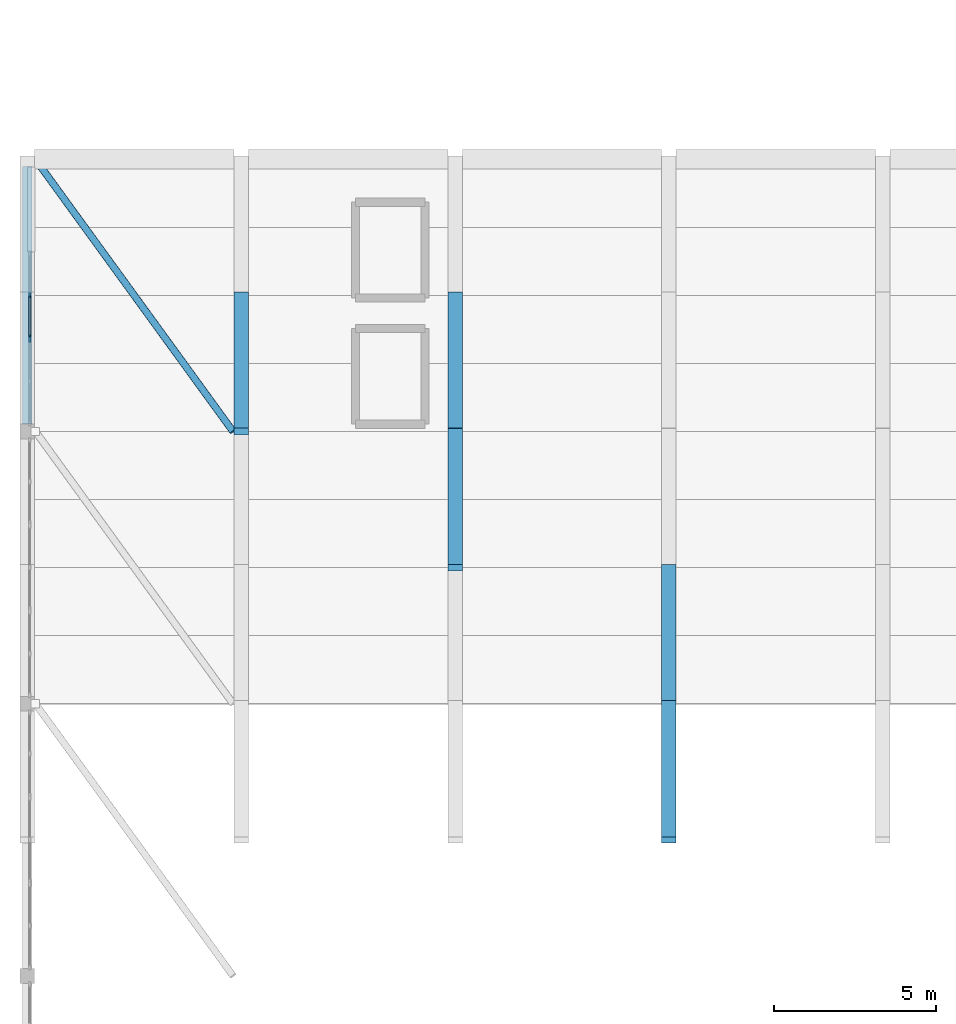
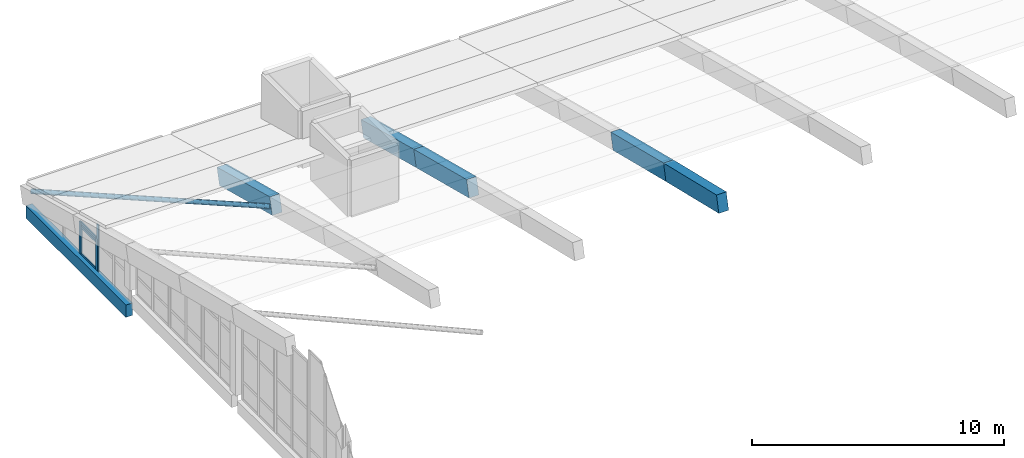
# One storey, part 13 of 78: 7 members, 6 beams, 2 elements without a shape of their own.
"""IFC4 building model written with IfcOpenShell, lengths in metres."""

from ifc_helpers import new_model, si_unit, direction, frame, origin, origin_2d, place, context, subcontext, project, spatial, rectangle, hollow_circle, extrude, material, material_profile, profile_set, type_object, element, aggregate, save


model = new_model("IFC4")

# Units and contexts
model_context = context("Model", 3, precision=1e-05, world=origin(), true_north=direction((0.0, 1.0)))
body_context = subcontext(model_context, "Body", "Model", "MODEL_VIEW")
ifc_project = project(units=[si_unit("LENGTHUNIT", "METRE"), si_unit("AREAUNIT", "SQUARE_METRE"), si_unit("VOLUMEUNIT", "CUBIC_METRE"), si_unit("PLANEANGLEUNIT", "RADIAN"), si_unit("MASSUNIT", "GRAM", prefix="KILO")], contexts=[model_context])

# Site, building, storey
site_placement = place(None, origin())
site = spatial("IfcSite", under=ifc_project, at=site_placement, CompositionType="ELEMENT")
building_placement = place(site_placement, origin())
building = spatial("IfcBuilding", under=site, at=building_placement, Name="Qaldarim Faculty of Natural and Applied Sciences", CompositionType="ELEMENT")
storey_placement = place(building_placement, frame((0.0, 0.0, 18.60009765625)))
storey = spatial("IfcBuildingStorey", under=building, at=storey_placement, Name="L04", CompositionType="ELEMENT", Elevation=18.60009765625)

# Curtain wall, member
ifc_material_1 = material(Name="Anodised aluminium AW-6063", Category="aluminium")
curtain_wall_type = type_object("IfcCurtainWallType", Name="CurtainWallSystem-M1500", PredefinedType="USERDEFINED", material=ifc_material_1)
curtain_wall_1_placement = place(storey_placement, origin())
curtain_wall_1 = element("IfcCurtainWall", 1, at=curtain_wall_1_placement, inside=storey, type_object=curtain_wall_type, Name="Curtain wall CW-GABLE-L04-W-Y10-1", ObjectType="STICK CURTAIN WALL", PredefinedType="USERDEFINED")
ifc_material_profile_1 = material_profile(ifc_material_1, rectangle(XDim=0.06005859375, YDim=0.14990234375, at=origin_2d()), Name="ALU-M60x150")
ifc_profile_set_1 = profile_set([ifc_material_profile_1], Name="Anodised aluminium AW-6063")
member_type_1 = type_object("IfcMemberType", Name="Mullion-ALU60x150", PredefinedType="MULLION", material=ifc_profile_set_1)
member_1_placement = place(storey_placement, frame((0.080078125, 78.43505859375, -0.97998046875), z_axis=(0.0, 0.0, 1.0), x_axis=(1.0, 0.0, 0.0)))
member_1 = element("IfcMember", 2, at=member_1_placement, type_object=member_type_1, Name="Mullion 1 of CW-GABLE-L04-W-Y10-1", PredefinedType="MULLION", context=body_context, shape_type="SweptSolid", body=[
    extrude(rectangle(XDim=0.06005859375, YDim=0.14990234375, at=origin_2d()), origin(), (0.0, 0.0, 1.0), 2.244873046875),
])
aggregate(curtain_wall_1, [member_1])

# Curtain wall, members
curtain_wall_2_placement = place(storey_placement, origin())
curtain_wall_2 = element("IfcCurtainWall", 3, at=curtain_wall_2_placement, inside=storey, type_object=curtain_wall_type, Name="Curtain wall CW-GABLE-L04-W-Y10-2", ObjectType="STICK CURTAIN WALL", PredefinedType="USERDEFINED")
member_2_placement = place(storey_placement, frame((0.080078125, 79.802490234375, -0.97998046875), z_axis=(0.0, 0.0, 1.0), x_axis=(1.0, 0.0, 0.0)))
member_2 = element("IfcMember", 4, at=member_2_placement, type_object=member_type_1, Name="Mullion 2 of CW-GABLE-L04-W-Y10-2", PredefinedType="MULLION", context=body_context, shape_type="SweptSolid", body=[
    extrude(rectangle(XDim=0.06005859375, YDim=0.14990234375, at=origin_2d()), origin(), (0.0, 0.0, 1.0), 1.554931640625),
])
member_3_placement = place(storey_placement, frame((0.080078125, 78.514892578125, -0.97998046875), z_axis=(0.0, 0.0, 1.0), x_axis=(1.0, 0.0, 0.0)))
member_3 = element("IfcMember", 5, at=member_3_placement, type_object=member_type_1, Name="Mullion 3 of CW-GABLE-L04-W-Y10-2", PredefinedType="MULLION", context=body_context, shape_type="SweptSolid", body=[
    extrude(rectangle(XDim=0.06005859375, YDim=0.14990234375, at=origin_2d()), origin(), (0.0, 0.0, 1.0), 1.554931640625),
])

# Beams
ifc_material_2 = material(Name="Concrete C50/60", Category="concrete")
ifc_material_profile_2 = material_profile(ifc_material_2, rectangle(XDim=0.449951171875, YDim=0.800048828125, at=origin_2d()), Name="RC-RIB450x800")
ifc_profile_set_2 = profile_set([ifc_material_profile_2], Name="Concrete C50/60")
beam_type_1 = type_object("IfcBeamType", Name="ShellArchRib-RC450x800", PredefinedType="BEAM", material=ifc_profile_set_2)
for number, where, z_axis, x_axis, name in (
    (6, (6.60009765625, 79.800048828125, 0.56494140625), (0.0, -0.967379770431, 0.253330574074), (1.0, 0.0, 0.0), "Shell arch rib 2 N segment 2"),
    (7, (13.199951171875, 79.800048828125, 0.56494140625), (0.0, -0.967379770431, 0.253330574074), (1.0, 0.0, 0.0), "Shell arch rib 3 N segment 2"),
):
    element("IfcBeam", number, at=place(storey_placement, frame(where, z_axis=z_axis, x_axis=x_axis)), inside=storey, type_object=beam_type_1, Name=name, PredefinedType="BEAM", context=body_context, shape_type="SweptSolid", body=[
        extrude(rectangle(XDim=0.449951171875, YDim=0.800048828125, at=origin_2d()), origin(), (0.0, 0.0, 1.0), 4.341552734375),
    ])
beam_1_placement = place(storey_placement, frame((13.199951171875, 75.60009765625, 1.664794921875), z_axis=(0.0, -0.968762445558, 0.247990572555), x_axis=(1.0, 0.0, 0.0)))
element("IfcBeam", 8, at=beam_1_placement, inside=storey, type_object=beam_type_1, Name="Shell arch rib 3 N segment 3", PredefinedType="BEAM", context=body_context, shape_type="SweptSolid", body=[
    extrude(rectangle(XDim=0.449951171875, YDim=0.800048828125, at=origin_2d()), origin(), (0.0, 0.0, 1.0), 4.335693359375),
])
beam_2_placement = place(storey_placement, frame((19.800048828125, 71.39990234375, 2.739990234375), z_axis=(0.0, -0.970694267703, 0.24031778679), x_axis=(1.0, 0.0, 0.0)))
element("IfcBeam", 9, at=beam_2_placement, inside=storey, type_object=beam_type_1, Name="Shell arch rib 4 N segment 4", PredefinedType="BEAM", context=body_context, shape_type="SweptSolid", body=[
    extrude(rectangle(XDim=0.449951171875, YDim=0.800048828125, at=origin_2d()), origin(), (0.0, 0.0, 1.0), 4.32666015625),
])
beam_3_placement = place(storey_placement, frame((19.800048828125, 67.199951171875, 3.77978515625), z_axis=(0.0, -0.972805607937, 0.231623075633), x_axis=(1.0, 0.0, 0.0)))
element("IfcBeam", 10, at=beam_3_placement, inside=storey, type_object=beam_type_1, Name="Shell arch rib 4 N segment 5", PredefinedType="BEAM", context=body_context, shape_type="SweptSolid", body=[
    extrude(rectangle(XDim=0.449951171875, YDim=0.800048828125, at=origin_2d()), origin(), (0.0, 0.0, 1.0), 4.3173828125),
])

# Member
ifc_material_3 = material(Name="Structural steel S355", Category="steel")
ifc_material_profile_3 = material_profile(ifc_material_3, hollow_circle(Radius=0.109619140625, WallThickness=0.012451171875, at=origin_2d()), Name="CHS 219.1x12.5")
ifc_profile_set_3 = profile_set([ifc_material_profile_3], Name="Structural steel S355")
member_type_2 = type_object("IfcMemberType", Name="ShellStrut-CHS219x12-5", PredefinedType="STRUT", material=ifc_profile_set_3)
member_4_placement = place(storey_placement, frame((0.25, 84.0, -0.56005859375), z_axis=(0.574562416927, -0.791178840823, 0.209556844051), x_axis=(0.809144712888, 0.587609422665, 0.0)))
element("IfcMember", 11, at=member_4_placement, inside=storey, type_object=member_type_2, Name="Shell wind strut bay 1 N1", PredefinedType="STRUT", context=body_context, shape_type="SweptSolid", body=[
    extrude(hollow_circle(Radius=0.109619140625, WallThickness=0.012451171875, at=origin_2d()), origin(), (0.0, 0.0, 1.0), 10.616943359375),
])

# Beam
ifc_material_4 = material(Name="Precast concrete C40/50", Category="concrete")
ifc_material_profile_4 = material_profile(ifc_material_4, rectangle(XDim=0.300048828125, YDim=0.60009765625, at=origin_2d()), Name="RC-SP300x600")
ifc_profile_set_4 = profile_set([ifc_material_profile_4], Name="Precast concrete C40/50")
beam_type_2 = type_object("IfcBeamType", Name="SpandrelBeam-RC300x600", PredefinedType="SPANDREL", material=ifc_profile_set_4)
beam_4_placement = place(storey_placement, frame((0.0, 75.824951171875, -1.280029296875), z_axis=(0.0, 1.0, 0.0), x_axis=(-1.0, 0.0, 0.0)))
element("IfcBeam", 12, at=beam_4_placement, inside=storey, type_object=beam_type_2, Name="Shell gable tie beam L03 X01/Y10-Y11", PredefinedType="SPANDREL", context=body_context, shape_type="SweptSolid", body=[
    extrude(rectangle(XDim=0.300048828125, YDim=0.60009765625, at=origin_2d()), origin(), (0.0, 0.0, 1.0), 7.949951171875),
])

# Member
ifc_material_profile_5 = material_profile(ifc_material_1, rectangle(XDim=0.06005859375, YDim=0.1201171875, at=origin_2d()), Name="ALU-T60x120")
ifc_profile_set_5 = profile_set([ifc_material_profile_5], Name="Anodised aluminium AW-6063")
member_type_3 = type_object("IfcMemberType", Name="Transom-ALU60x120", PredefinedType="USERDEFINED", material=ifc_profile_set_5)
member_5_placement = place(storey_placement, frame((0.080078125, 79.7724609375, -0.9501953125), z_axis=(0.0, -1.0, 0.0), x_axis=(1.0, 0.0, 0.0)))
member_5 = element("IfcMember", 13, at=member_5_placement, type_object=member_type_3, Name="Transom 2-1 of CW-GABLE-L04-W-Y10-2", ObjectType="TRANSOM", PredefinedType="USERDEFINED", context=body_context, shape_type="SweptSolid", body=[
    extrude(rectangle(XDim=0.06005859375, YDim=0.1201171875, at=origin_2d()), origin(), (0.0, 0.0, 1.0), 1.2275390625),
])

member_6_placement = place(storey_placement, frame((0.080078125, 79.7724609375, 0.369873046875), z_axis=(0.0, -1.0, 0.0), x_axis=(1.0, 0.0, 0.0)))
member_6 = element("IfcMember", 14, at=member_6_placement, type_object=member_type_3, Name="Transom 2-2 of CW-GABLE-L04-W-Y10-2", ObjectType="TRANSOM", PredefinedType="USERDEFINED", context=body_context, shape_type="SweptSolid", body=[
    extrude(rectangle(XDim=0.06005859375, YDim=0.1201171875, at=origin_2d()), origin(), (0.0, 0.0, 1.0), 1.2275390625),
])

member_7_placement = place(storey_placement, frame((0.080078125, 79.7724609375, 0.544921875), z_axis=(0.0, -1.0, 0.0), x_axis=(1.0, 0.0, 0.0)))
member_7 = element("IfcMember", 15, at=member_7_placement, type_object=member_type_3, Name="Transom 2-3 of CW-GABLE-L04-W-Y10-2", ObjectType="TRANSOM", PredefinedType="USERDEFINED", context=body_context, shape_type="SweptSolid", body=[
    extrude(rectangle(XDim=0.06005859375, YDim=0.1201171875, at=origin_2d()), origin(), (0.0, 0.0, 1.0), 1.2275390625),
])

aggregate(curtain_wall_2, [member_2, member_3, member_5, member_6, member_7])

save(model, "model.ifc")
